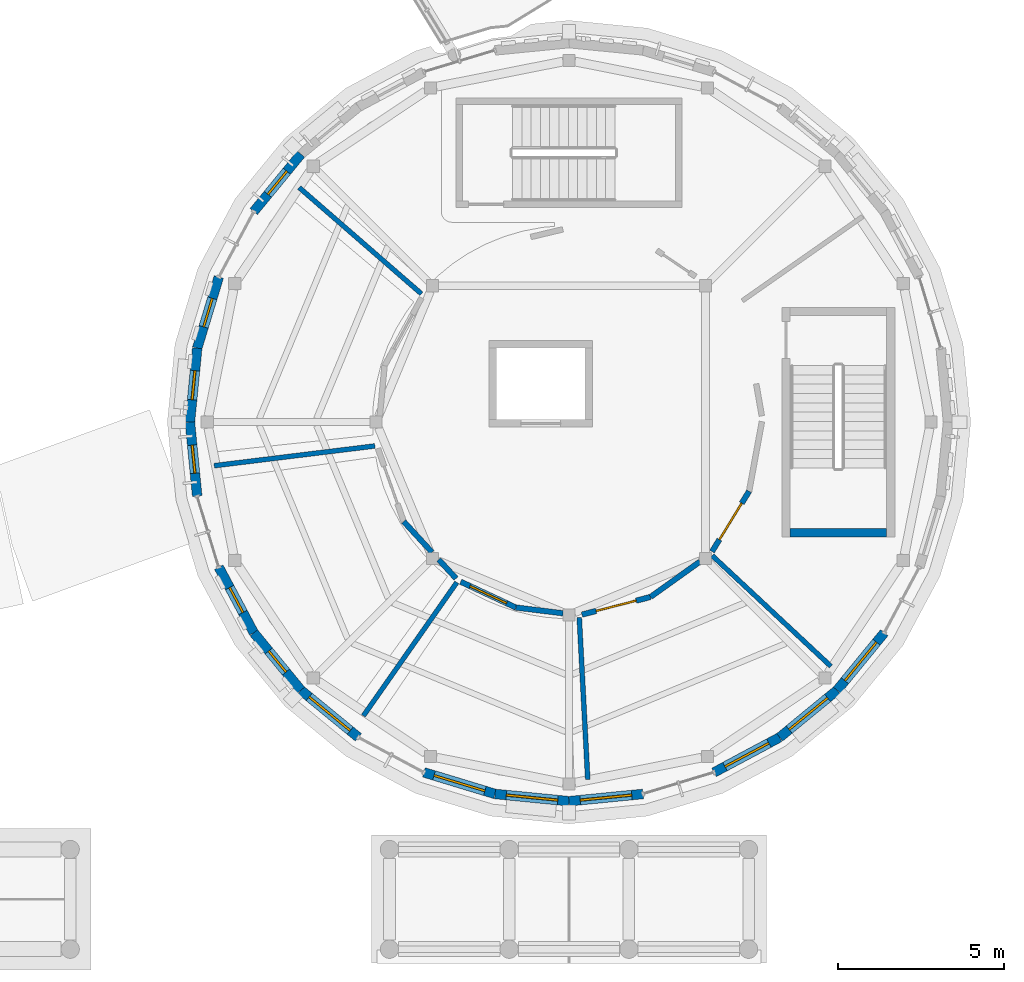
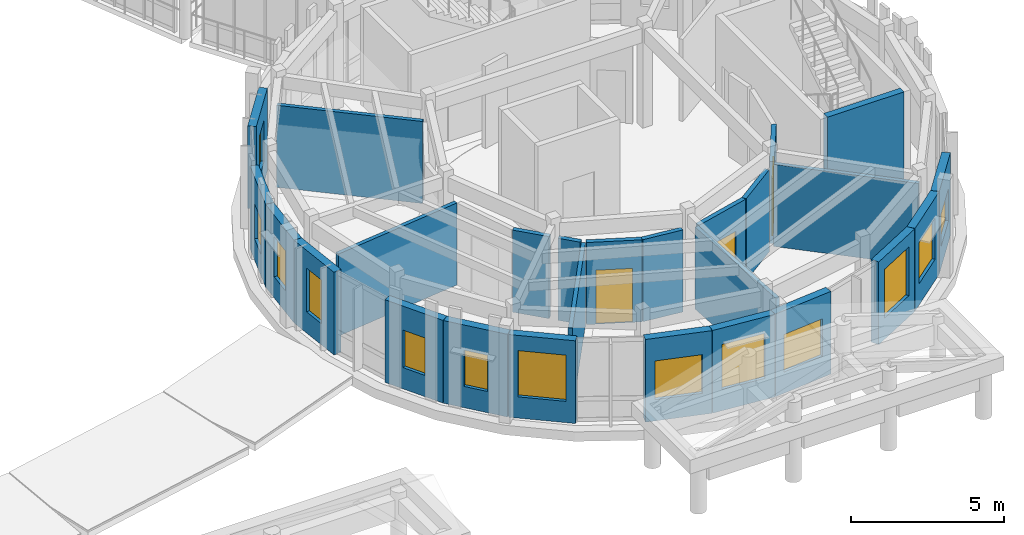
# One storey, part 53 of 80: 26 walls, 13 windows, 3 doors, 16 openings.
"""IFC4 building model written with IfcOpenShell, lengths in metres."""

from ifc_helpers import new_model, si_unit, direction, frame, frame_2d, origin, place, context, subcontext, project, spatial, rectangle, extrude, material, layer, layer_set, type_object, element, fill, save


model = new_model("IFC4")

# Units and contexts
model_context = context("Model", 3, precision=1e-05, world=origin(), true_north=direction((0.0, 1.0)))
body_context = subcontext(model_context, "Body", "Model", "MODEL_VIEW")
ifc_project = project(units=[si_unit("LENGTHUNIT", "METRE"), si_unit("AREAUNIT", "SQUARE_METRE"), si_unit("VOLUMEUNIT", "CUBIC_METRE"), si_unit("PLANEANGLEUNIT", "RADIAN"), si_unit("MASSUNIT", "GRAM", prefix="KILO")], contexts=[model_context])

# Site, building, storey
site_placement = place(None, origin())
site = spatial("IfcSite", under=ifc_project, at=site_placement, CompositionType="ELEMENT")
building_placement = place(site_placement, origin())
building = spatial("IfcBuilding", under=site, at=building_placement, Name="Aldenvaro Health Centre", CompositionType="ELEMENT")
storey_placement = place(building_placement, frame((0.0, 0.0, 4.550048828125)))
storey = spatial("IfcBuildingStorey", under=building, at=storey_placement, Name="L01", CompositionType="ELEMENT", Elevation=4.550048828125)

# Walls
ifc_material_1 = material(Name="Gypsum Stud Acoustic Assembly")
ifc_layer_1 = layer(ifc_material_1, 0.14501953125, Name="Gypsum Stud Acoustic Assembly")
ifc_layer_set_1 = layer_set([ifc_layer_1], Name="Gypsum Stud Acoustic Assembly")
wall_type_1 = type_object("IfcWallType", Name="WL-CLN-145", PredefinedType="PARTITIONING", material=ifc_layer_set_1)
wall_1_placement = place(storey_placement, frame((150.06005859375, 22.360107421875, 0.0), z_axis=(0.0, 0.0, 1.0), x_axis=(-0.754707000712, 0.656061996366, 0.0)))
element("IfcWall", 1, at=wall_1_placement, inside=storey, type_object=wall_type_1, Name="D6 L01 clinical partition 2.1", PredefinedType="PARTITIONING", context=body_context, shape_type="SweptSolid", body=[
    extrude(rectangle(XDim=4.8681640625, YDim=0.14501953125, at=frame_2d((2.43408203125, 0.0))), origin(), (0.0, 0.0, 1.0), 3.283935546875),
])
wall_2_placement = place(storey_placement, frame((148.660888671875, 17.782958984375, 0.0), z_axis=(0.0, 0.0, 1.0), x_axis=(-0.992549416304, -0.121842751918, 0.0)))
element("IfcWall", 2, at=wall_2_placement, inside=storey, type_object=wall_type_1, Name="D6 L01 clinical partition 3.1", PredefinedType="PARTITIONING", context=body_context, shape_type="SweptSolid", body=[
    extrude(rectangle(XDim=4.8671875, YDim=0.14501953125, at=frame_2d((2.43359375, 0.0))), origin(), (0.0, 0.0, 1.0), 3.283935546875),
])
wall_3_placement = place(storey_placement, frame((151.1259765625, 13.680908203125, 0.0), z_axis=(0.0, 0.0, 1.0), x_axis=(-0.573579487823, -0.819149907617, 0.0)))
element("IfcWall", 3, at=wall_3_placement, inside=storey, type_object=wall_type_1, Name="D6 L01 clinical partition 4.1", PredefinedType="PARTITIONING", context=body_context, shape_type="SweptSolid", body=[
    extrude(rectangle(XDim=4.895263671875, YDim=0.14501953125, at=frame_2d((2.44775390625, 0.0))), origin(), (0.0, 0.0, 1.0), 3.283935546875),
])
wall_4_placement = place(storey_placement, frame((154.80810546875, 12.625, 0.0), z_axis=(0.0, 0.0, 1.0), x_axis=(0.05228807127, -0.998632043148, 0.0)))
element("IfcWall", 4, at=wall_4_placement, inside=storey, type_object=wall_type_1, Name="D6 L01 clinical partition 5.1", PredefinedType="PARTITIONING", context=body_context, shape_type="SweptSolid", body=[
    extrude(rectangle(XDim=4.87451171875, YDim=0.14501953125, at=frame_2d((2.437255859375, 0.0))), origin(), (0.0, 0.0, 1.0), 3.283935546875),
])
wall_5_placement = place(storey_placement, frame((158.802978515625, 14.488037109375, 0.0), z_axis=(0.0, 0.0, 1.0), x_axis=(0.731337706655, -0.682015512158, 0.0)))
element("IfcWall", 5, at=wall_5_placement, inside=storey, type_object=wall_type_1, Name="D6 L01 clinical partition 6.1", PredefinedType="PARTITIONING", context=body_context, shape_type="SweptSolid", body=[
    extrude(rectangle(XDim=4.885498046875, YDim=0.14501953125, at=frame_2d((2.44287109375, 0.0))), origin(), (0.0, 0.0, 1.0), 3.283935546875),
])
ifc_layer_2 = layer(ifc_material_1, 0.1650390625, Name="Gypsum Stud Acoustic Assembly")
ifc_layer_set_2 = layer_set([ifc_layer_2], Name="Gypsum Stud Acoustic Assembly")
wall_type_2 = type_object("IfcWallType", Name="WL-COR-165", PredefinedType="PARTITIONING", material=ifc_layer_set_2)
wall_6_placement = place(storey_placement, frame((149.528076171875, 15.512939453125, 0.0), z_axis=(0.0, 0.0, 1.0), x_axis=(0.676611080709, -0.736340577085, 0.0)))
element("IfcWall", 6, at=wall_6_placement, inside=storey, type_object=wall_type_2, Name="D6 L01 corridor wall 03.2", PredefinedType="PARTITIONING", context=body_context, shape_type="SweptSolid", body=[
    extrude(rectangle(XDim=1.259033203125, YDim=0.1650390625, at=frame_2d((0.62939453125, 0.0))), origin(), (0.0, 0.0, 1.0), 3.283935546875),
])
wall_7_placement = place(storey_placement, frame((150.5830078125, 14.364990234375, 0.0), z_axis=(0.0, 0.0, 1.0), x_axis=(0.676615979647, -0.736336075503, 0.0)))
element("IfcWall", 7, at=wall_7_placement, inside=storey, type_object=wall_type_2, Name="D6 L01 corridor wall 03.3", PredefinedType="PARTITIONING", context=body_context, shape_type="SweptSolid", body=[
    extrude(rectangle(XDim=0.7685546875, YDim=0.1650390625, at=frame_2d((0.38427734375, 0.0))), origin(), (0.0, 0.0, 1.0), 3.283935546875),
])

# Wall, opening, door
wall_8_placement = place(storey_placement, frame((151.243896484375, 13.699951171875, 0.0), z_axis=(0.0, 0.0, 1.0), x_axis=(0.905838456469, -0.423623288763, 0.0)))
wall_8 = element("IfcWall", 8, at=wall_8_placement, inside=storey, type_object=wall_type_2, Name="D6 L01 corridor wall 04.1", PredefinedType="PARTITIONING", context=body_context, shape_type="SweptSolid", body=[
    extrude(rectangle(XDim=1.829345703125, YDim=0.1650390625, at=frame_2d((0.91455078125, 0.0))), origin(), (0.0, 0.0, 1.0), 3.283935546875),
])
opening_1_placement = place(wall_8_placement, frame((0.31005859375, 0.0, 0.0)))
opening_1 = element("IfcOpeningElement", 9, at=opening_1_placement, cuts=wall_8, Name="Opening D-27", PredefinedType="OPENING", context=body_context, shape_type="SweptSolid", body=[
    extrude(rectangle(XDim=1.2099609375, YDim=2.159912109375, at=frame_2d((0.60498046875, 1.080078125))), frame((0.0, 0.092529296875, 0.0), z_axis=(0.0, -1.0, 0.0), x_axis=(1.0, 0.0, 0.0)), (0.0, 0.0, 1.0), 0.18505859375),
])
ifc_material_2 = material(Name="Exam Suite Timber Door", Category="wood")
door_type_1 = type_object("IfcDoorType", Name="DR-CLN-27", OperationType="NOTDEFINED", PredefinedType="DOOR", material=ifc_material_2)
door_1_placement = place(opening_1_placement, origin())
door_1 = element("IfcDoor", 10, at=door_1_placement, inside=storey, type_object=door_type_1, Name="Panoramic Dental X-Ray Alcove Door", OperationType="SINGLE_SWING_RIGHT", OverallHeight=2.159912109375, OverallWidth=1.2099609375, PredefinedType="DOOR", context=body_context, shape_type="SweptSolid", body=[
    extrude(rectangle(XDim=1.2099609375, YDim=2.159912109375, at=frame_2d((0.60498046875, 1.080078125))), frame((0.0, 0.02490234375, 0.0), z_axis=(0.0, -1.0, 0.0), x_axis=(1.0, 0.0, 0.0)), (0.0, 0.0, 1.0), 0.050048828125),
])
fill(opening_1, door_1)

# Wall
wall_9_placement = place(storey_placement, frame((152.90087890625, 12.925048828125, 0.0), z_axis=(0.0, 0.0, 1.0), x_axis=(0.992643875507, -0.12107079094, 0.0)))
element("IfcWall", 11, at=wall_9_placement, inside=storey, type_object=wall_type_2, Name="D6 L01 corridor wall 04.2", PredefinedType="PARTITIONING", context=body_context, shape_type="SweptSolid", body=[
    extrude(rectangle(XDim=1.4296875, YDim=0.1650390625, at=frame_2d((0.71484375, 0.0))), origin(), (0.0, 0.0, 1.0), 3.283935546875),
])

# Wall, opening, door
wall_10_placement = place(storey_placement, frame((154.888916015625, 12.712890625, 0.0), z_axis=(0.0, 0.0, 1.0), x_axis=(0.968515845244, 0.248951918071, 0.0)))
wall_10 = element("IfcWall", 12, at=wall_10_placement, inside=storey, type_object=wall_type_2, Name="D6 L01 corridor wall 05.1", PredefinedType="PARTITIONING", context=body_context, shape_type="SweptSolid", body=[
    extrude(rectangle(XDim=2.129150390625, YDim=0.1650390625, at=frame_2d((1.064453125, 0.0))), origin(), (0.0, 0.0, 1.0), 3.283935546875),
])
opening_2_placement = place(wall_10_placement, frame((0.444091796875, 0.0, 0.0)))
opening_2 = element("IfcOpeningElement", 13, at=opening_2_placement, cuts=wall_10, Name="Opening D-28", PredefinedType="OPENING", context=body_context, shape_type="SweptSolid", body=[
    extrude(rectangle(XDim=1.239990234375, YDim=2.219970703125, at=frame_2d((0.6201171875, 1.10986328125))), frame((0.0, 0.092529296875, 0.0), z_axis=(0.0, -1.0, 0.0), x_axis=(1.0, 0.0, 0.0)), (0.0, 0.0, 1.0), 0.18505859375),
])
door_type_2 = type_object("IfcDoorType", Name="DR-CLN-28", OperationType="NOTDEFINED", PredefinedType="DOOR", material=ifc_material_2)
door_2_placement = place(opening_2_placement, origin())
door_2 = element("IfcDoor", 14, at=door_2_placement, inside=storey, type_object=door_type_2, Name="Dental Instrument Sterilization Door", OperationType="SINGLE_SWING_LEFT", OverallHeight=2.219970703125, OverallWidth=1.239990234375, PredefinedType="DOOR", context=body_context, shape_type="SweptSolid", body=[
    extrude(rectangle(XDim=1.239990234375, YDim=2.219970703125, at=frame_2d((0.6201171875, 1.10986328125))), frame((0.0, 0.02490234375, 0.0), z_axis=(0.0, -1.0, 0.0), x_axis=(1.0, 0.0, 0.0)), (0.0, 0.0, 1.0), 0.050048828125),
])
fill(opening_2, door_2)

# Wall
wall_11_placement = place(storey_placement, frame((156.950927734375, 13.242919921875, 0.0), z_axis=(0.0, 0.0, 1.0), x_axis=(0.813273111974, 0.581882157606, 0.0)))
element("IfcWall", 15, at=wall_11_placement, inside=storey, type_object=wall_type_2, Name="D6 L01 corridor wall 05.2", PredefinedType="PARTITIONING", context=body_context, shape_type="SweptSolid", body=[
    extrude(rectangle(XDim=1.828369140625, YDim=0.1650390625, at=frame_2d((0.9140625, 0.0))), origin(), (0.0, 0.0, 1.0), 3.283935546875),
])

# Wall, opening, door
wall_12_placement = place(storey_placement, frame((158.800048828125, 14.60791015625, 0.0), z_axis=(0.0, 0.0, 1.0), x_axis=(0.523860609665, 0.851804004241, 0.0)))
wall_12 = element("IfcWall", 16, at=wall_12_placement, inside=storey, type_object=wall_type_2, Name="D6 L01 corridor wall 06.1", PredefinedType="PARTITIONING", context=body_context, shape_type="SweptSolid", body=[
    extrude(rectangle(XDim=2.12841796875, YDim=0.1650390625, at=frame_2d((1.064208984375, 0.0))), origin(), (0.0, 0.0, 1.0), 3.283935546875),
])
opening_3_placement = place(wall_12_placement, frame((0.424072265625, 0.0, 0.0)))
opening_3 = element("IfcOpeningElement", 17, at=opening_3_placement, cuts=wall_12, Name="Opening D-29", PredefinedType="OPENING", context=body_context, shape_type="SweptSolid", body=[
    extrude(rectangle(XDim=1.280029296875, YDim=2.300048828125, at=frame_2d((0.64013671875, 1.14990234375))), frame((0.0, 0.092529296875, 0.0), z_axis=(0.0, -1.0, 0.0), x_axis=(1.0, 0.0, 0.0)), (0.0, 0.0, 1.0), 0.18505859375),
])
door_type_3 = type_object("IfcDoorType", Name="DR-CLN-29", OperationType="NOTDEFINED", PredefinedType="DOOR", material=ifc_material_2)
door_3_placement = place(opening_3_placement, origin())
door_3 = element("IfcDoor", 18, at=door_3_placement, inside=storey, type_object=door_type_3, Name="Oral Health Waiting Lounge Door", OperationType="SINGLE_SWING_RIGHT", OverallHeight=2.300048828125, OverallWidth=1.280029296875, PredefinedType="DOOR", context=body_context, shape_type="SweptSolid", body=[
    extrude(rectangle(XDim=1.280029296875, YDim=2.300048828125, at=frame_2d((0.64013671875, 1.14990234375))), frame((0.0, 0.02490234375, 0.0), z_axis=(0.0, -1.0, 0.0), x_axis=(1.0, 0.0, 0.0)), (0.0, 0.0, 1.0), 0.050048828125),
])
fill(opening_3, door_3)

# Wall, opening, window
ifc_material_3 = material(Name="Cross-laminated timber CLT E1", Category="wood")
ifc_layer_3 = layer(ifc_material_3, 0.2900390625, Name="Cross-laminated timber CLT E1", Category="wood")
ifc_layer_set_3 = layer_set([ifc_layer_3], Name="Cross-laminated timber CLT E1")
wall_type_3 = type_object("IfcWallType", Name="WL-EXT-290", PredefinedType="ELEMENTEDWALL", material=ifc_layer_set_3)
wall_13_placement = place(storey_placement, frame((163.97900390625, 12.166015625, 0.0), z_axis=(0.0, 0.0, 1.0), x_axis=(-0.63455767339, -0.772875513354, 0.0)))
wall_13 = element("IfcWall", 19, at=wall_13_placement, inside=storey, type_object=wall_type_3, Name="D6 L01 exterior wall 04", PredefinedType="ELEMENTEDWALL", context=body_context, shape_type="SweptSolid", body=[
    extrude(rectangle(XDim=2.234619140625, YDim=0.2900390625, at=frame_2d((1.1171875, 0.0))), origin(), (0.0, 0.0, 1.0), 3.308837890625),
])
opening_4_placement = place(wall_13_placement, frame((0.366943359375, 0.0, 0.85009765625)))
opening_4 = element("IfcOpeningElement", 20, at=opening_4_placement, cuts=wall_13, Name="Opening W-62", PredefinedType="OPENING", context=body_context, shape_type="SweptSolid", body=[
    extrude(rectangle(XDim=1.5, YDim=1.300048828125, at=frame_2d((0.75, 0.64990234375))), frame((0.0, 0.155029296875, 0.0), z_axis=(0.0, -1.0, 0.0), x_axis=(1.0, 0.0, 0.0)), (0.0, 0.0, 1.0), 0.31005859375),
])
ifc_material_4 = material(Name="Thermally Broken Aluminium Low-E Glass", Category="aluminium")
window_type_1 = type_object("IfcWindowType", Name="WN-EXT-62", PartitioningType="SINGLE_PANEL", PredefinedType="WINDOW", material=ifc_material_4)
window_1_placement = place(opening_4_placement, origin())
window_1 = element("IfcWindow", 21, at=window_1_placement, inside=storey, type_object=window_type_1, Name="D6 L01 clinical window 04", OverallHeight=1.300048828125, OverallWidth=1.5, PartitioningType="SINGLE_PANEL", PredefinedType="WINDOW", context=body_context, shape_type="SweptSolid", body=[
    extrude(rectangle(XDim=1.5, YDim=1.300048828125, at=frame_2d((0.75, 0.64990234375))), frame((0.0, 0.030029296875, 0.0), z_axis=(0.0, -1.0, 0.0), x_axis=(1.0, 0.0, 0.0)), (0.0, 0.0, 1.0), 0.06005859375),
])
fill(opening_4, window_1)

wall_14_placement = place(storey_placement, frame((162.56103515625, 10.43896484375, 0.0), z_axis=(0.0, 0.0, 1.0), x_axis=(-0.772875513354, -0.63455767339, 0.0)))
wall_14 = element("IfcWall", 22, at=wall_14_placement, inside=storey, type_object=wall_type_3, Name="D6 L01 exterior wall 05", PredefinedType="ELEMENTEDWALL", context=body_context, shape_type="SweptSolid", body=[
    extrude(rectangle(XDim=2.234619140625, YDim=0.2900390625, at=frame_2d((1.1171875, 0.0))), origin(), (0.0, 0.0, 1.0), 3.308837890625),
])
opening_5_placement = place(wall_14_placement, frame((0.366943359375, 0.0, 0.85009765625)))
opening_5 = element("IfcOpeningElement", 23, at=opening_5_placement, cuts=wall_14, Name="Opening W-63", PredefinedType="OPENING", context=body_context, shape_type="SweptSolid", body=[
    extrude(rectangle(XDim=1.5, YDim=1.64990234375, at=frame_2d((0.75, 0.824951171875))), frame((0.0, 0.155029296875, 0.0), z_axis=(0.0, -1.0, 0.0), x_axis=(1.0, 0.0, 0.0)), (0.0, 0.0, 1.0), 0.31005859375),
])
window_type_2 = type_object("IfcWindowType", Name="WN-EXT-63", PartitioningType="SINGLE_PANEL", PredefinedType="WINDOW", material=ifc_material_4)
window_2_placement = place(opening_5_placement, origin())
window_2 = element("IfcWindow", 24, at=window_2_placement, inside=storey, type_object=window_type_2, Name="D6 L01 clinical window 05", OverallHeight=1.64990234375, OverallWidth=1.5, PartitioningType="SINGLE_PANEL", PredefinedType="WINDOW", context=body_context, shape_type="SweptSolid", body=[
    extrude(rectangle(XDim=1.5, YDim=1.64990234375, at=frame_2d((0.75, 0.824951171875))), frame((0.0, 0.030029296875, 0.0), z_axis=(0.0, -1.0, 0.0), x_axis=(1.0, 0.0, 0.0)), (0.0, 0.0, 1.0), 0.06005859375),
])
fill(opening_5, window_2)

wall_15_placement = place(storey_placement, frame((160.833984375, 9.02099609375, 0.0), z_axis=(0.0, 0.0, 1.0), x_axis=(-0.882017012185, -0.471217561446, 0.0)))
wall_15 = element("IfcWall", 25, at=wall_15_placement, inside=storey, type_object=wall_type_3, Name="D6 L01 exterior wall 06", PredefinedType="ELEMENTEDWALL", context=body_context, shape_type="SweptSolid", body=[
    extrude(rectangle(XDim=2.234619140625, YDim=0.2900390625, at=frame_2d((1.1171875, 0.0))), origin(), (0.0, 0.0, 1.0), 3.308837890625),
])
opening_6_placement = place(wall_15_placement, frame((0.366943359375, 0.0, 0.85009765625)))
opening_6 = element("IfcOpeningElement", 26, at=opening_6_placement, cuts=wall_15, Name="Opening W-64", PredefinedType="OPENING", context=body_context, shape_type="SweptSolid", body=[
    extrude(rectangle(XDim=1.5, YDim=1.949951171875, at=frame_2d((0.75, 0.97509765625))), frame((0.0, 0.155029296875, 0.0), z_axis=(0.0, -1.0, 0.0), x_axis=(1.0, 0.0, 0.0)), (0.0, 0.0, 1.0), 0.31005859375),
])
window_type_3 = type_object("IfcWindowType", Name="WN-EXT-64", PartitioningType="SINGLE_PANEL", PredefinedType="WINDOW", material=ifc_material_4)
window_3_placement = place(opening_6_placement, origin())
window_3 = element("IfcWindow", 27, at=window_3_placement, inside=storey, type_object=window_type_3, Name="D6 L01 clinical window 06", OverallHeight=1.949951171875, OverallWidth=1.5, PartitioningType="SINGLE_PANEL", PredefinedType="WINDOW", context=body_context, shape_type="SweptSolid", body=[
    extrude(rectangle(XDim=1.5, YDim=1.949951171875, at=frame_2d((0.75, 0.97509765625))), frame((0.0, 0.030029296875, 0.0), z_axis=(0.0, -1.0, 0.0), x_axis=(1.0, 0.0, 0.0)), (0.0, 0.0, 1.0), 0.06005859375),
])
fill(opening_6, window_3)

wall_16_placement = place(storey_placement, frame((156.72412109375, 7.319091796875, 0.0), z_axis=(0.0, 0.0, 1.0), x_axis=(-0.995187461503, -0.097989369151, 0.0)))
wall_16 = element("IfcWall", 28, at=wall_16_placement, inside=storey, type_object=wall_type_3, Name="D6 L01 exterior wall 08", PredefinedType="ELEMENTEDWALL", context=body_context, shape_type="SweptSolid", body=[
    extrude(rectangle(XDim=2.23486328125, YDim=0.2900390625, at=frame_2d((1.117431640625, 0.0))), origin(), (0.0, 0.0, 1.0), 3.308837890625),
])
opening_7_placement = place(wall_16_placement, frame((0.342041015625, 0.0, 0.85009765625)))
opening_7 = element("IfcOpeningElement", 29, at=opening_7_placement, cuts=wall_16, Name="Opening W-65", PredefinedType="OPENING", context=body_context, shape_type="SweptSolid", body=[
    extrude(rectangle(XDim=1.550048828125, YDim=1.5, at=frame_2d((0.77490234375, 0.75))), frame((0.0, 0.155029296875, 0.0), z_axis=(0.0, -1.0, 0.0), x_axis=(1.0, 0.0, 0.0)), (0.0, 0.0, 1.0), 0.31005859375),
])
window_type_4 = type_object("IfcWindowType", Name="WN-EXT-65", PartitioningType="SINGLE_PANEL", PredefinedType="WINDOW", material=ifc_material_4)
window_4_placement = place(opening_7_placement, origin())
window_4 = element("IfcWindow", 30, at=window_4_placement, inside=storey, type_object=window_type_4, Name="D6 L01 clinical window 08", OverallHeight=1.5, OverallWidth=1.550048828125, PartitioningType="SINGLE_PANEL", PredefinedType="WINDOW", context=body_context, shape_type="SweptSolid", body=[
    extrude(rectangle(XDim=1.550048828125, YDim=1.5, at=frame_2d((0.77490234375, 0.75))), frame((0.0, 0.030029296875, 0.0), z_axis=(0.0, -1.0, 0.0), x_axis=(1.0, 0.0, 0.0)), (0.0, 0.0, 1.0), 0.06005859375),
])
fill(opening_7, window_4)

wall_17_placement = place(storey_placement, frame((154.5, 7.10009765625, 0.0), z_axis=(0.0, 0.0, 1.0), x_axis=(-0.995187461503, 0.097989369151, 0.0)))
wall_17 = element("IfcWall", 31, at=wall_17_placement, inside=storey, type_object=wall_type_3, Name="D6 L01 exterior wall 09", PredefinedType="ELEMENTEDWALL", context=body_context, shape_type="SweptSolid", body=[
    extrude(rectangle(XDim=2.23486328125, YDim=0.2900390625, at=frame_2d((1.117431640625, 0.0))), origin(), (0.0, 0.0, 1.0), 3.308837890625),
])
opening_8_placement = place(wall_17_placement, frame((0.342041015625, 0.0, 0.85009765625)))
opening_8 = element("IfcOpeningElement", 32, at=opening_8_placement, cuts=wall_17, Name="Opening W-66", PredefinedType="OPENING", context=body_context, shape_type="SweptSolid", body=[
    extrude(rectangle(XDim=1.550048828125, YDim=1.800048828125, at=frame_2d((0.77490234375, 0.89990234375))), frame((0.0, 0.155029296875, 0.0), z_axis=(0.0, -1.0, 0.0), x_axis=(1.0, 0.0, 0.0)), (0.0, 0.0, 1.0), 0.31005859375),
])
window_type_5 = type_object("IfcWindowType", Name="WN-EXT-66", PartitioningType="SINGLE_PANEL", PredefinedType="WINDOW", material=ifc_material_4)
window_5_placement = place(opening_8_placement, origin())
window_5 = element("IfcWindow", 33, at=window_5_placement, inside=storey, type_object=window_type_5, Name="D6 L01 clinical window 09", OverallHeight=1.800048828125, OverallWidth=1.550048828125, PartitioningType="SINGLE_PANEL", PredefinedType="WINDOW", context=body_context, shape_type="SweptSolid", body=[
    extrude(rectangle(XDim=1.550048828125, YDim=1.800048828125, at=frame_2d((0.77490234375, 0.89990234375))), frame((0.0, 0.030029296875, 0.0), z_axis=(0.0, -1.0, 0.0), x_axis=(1.0, 0.0, 0.0)), (0.0, 0.0, 1.0), 0.06005859375),
])
fill(opening_8, window_5)

wall_18_placement = place(storey_placement, frame((152.27587890625, 7.319091796875, 0.0), z_axis=(0.0, 0.0, 1.0), x_axis=(-0.956928814218, 0.290322655883, 0.0)))
wall_18 = element("IfcWall", 34, at=wall_18_placement, inside=storey, type_object=wall_type_3, Name="D6 L01 exterior wall 10", PredefinedType="ELEMENTEDWALL", context=body_context, shape_type="SweptSolid", body=[
    extrude(rectangle(XDim=2.235107421875, YDim=0.2900390625, at=frame_2d((1.11767578125, 0.0))), origin(), (0.0, 0.0, 1.0), 3.308837890625),
])
opening_9_placement = place(wall_18_placement, frame((0.318115234375, 0.0, 0.85009765625)))
opening_9 = element("IfcOpeningElement", 35, at=opening_9_placement, cuts=wall_18, Name="Opening W-67", PredefinedType="OPENING", context=body_context, shape_type="SweptSolid", body=[
    extrude(rectangle(XDim=1.60009765625, YDim=1.550048828125, at=frame_2d((0.800048828125, 0.77490234375))), frame((0.0, 0.155029296875, 0.0), z_axis=(0.0, -1.0, 0.0), x_axis=(1.0, 0.0, 0.0)), (0.0, 0.0, 1.0), 0.31005859375),
])
window_type_6 = type_object("IfcWindowType", Name="WN-EXT-67", PartitioningType="SINGLE_PANEL", PredefinedType="WINDOW", material=ifc_material_4)
window_6_placement = place(opening_9_placement, origin())
window_6 = element("IfcWindow", 36, at=window_6_placement, inside=storey, type_object=window_type_6, Name="D6 L01 clinical window 10", OverallHeight=1.550048828125, OverallWidth=1.60009765625, PartitioningType="SINGLE_PANEL", PredefinedType="WINDOW", context=body_context, shape_type="SweptSolid", body=[
    extrude(rectangle(XDim=1.60009765625, YDim=1.550048828125, at=frame_2d((0.800048828125, 0.77490234375))), frame((0.0, 0.030029296875, 0.0), z_axis=(0.0, -1.0, 0.0), x_axis=(1.0, 0.0, 0.0)), (0.0, 0.0, 1.0), 0.06005859375),
])
fill(opening_9, window_6)

wall_19_placement = place(storey_placement, frame((148.166015625, 9.02099609375, 0.0), z_axis=(0.0, 0.0, 1.0), x_axis=(-0.772875513354, 0.63455767339, 0.0)))
wall_19 = element("IfcWall", 37, at=wall_19_placement, inside=storey, type_object=wall_type_3, Name="D6 L01 exterior wall 12", PredefinedType="ELEMENTEDWALL", context=body_context, shape_type="SweptSolid", body=[
    extrude(rectangle(XDim=2.234619140625, YDim=0.2900390625, at=frame_2d((1.1171875, 0.0))), origin(), (0.0, 0.0, 1.0), 3.308837890625),
])
opening_10_placement = place(wall_19_placement, frame((0.31689453125, 0.0, 0.85009765625)))
opening_10 = element("IfcOpeningElement", 38, at=opening_10_placement, cuts=wall_19, Name="Opening W-68", PredefinedType="OPENING", context=body_context, shape_type="SweptSolid", body=[
    extrude(rectangle(XDim=1.60009765625, YDim=1.85009765625, at=frame_2d((0.800048828125, 0.925048828125))), frame((0.0, 0.155029296875, 0.0), z_axis=(0.0, -1.0, 0.0), x_axis=(1.0, 0.0, 0.0)), (0.0, 0.0, 1.0), 0.31005859375),
])
window_type_7 = type_object("IfcWindowType", Name="WN-EXT-68", PartitioningType="SINGLE_PANEL", PredefinedType="WINDOW", material=ifc_material_4)
window_7_placement = place(opening_10_placement, origin())
window_7 = element("IfcWindow", 39, at=window_7_placement, inside=storey, type_object=window_type_7, Name="D6 L01 clinical window 12", OverallHeight=1.85009765625, OverallWidth=1.60009765625, PartitioningType="SINGLE_PANEL", PredefinedType="WINDOW", context=body_context, shape_type="SweptSolid", body=[
    extrude(rectangle(XDim=1.60009765625, YDim=1.85009765625, at=frame_2d((0.800048828125, 0.925048828125))), frame((0.0, 0.030029296875, 0.0), z_axis=(0.0, -1.0, 0.0), x_axis=(1.0, 0.0, 0.0)), (0.0, 0.0, 1.0), 0.06005859375),
])
fill(opening_10, window_7)

wall_20_placement = place(storey_placement, frame((146.43896484375, 10.43896484375, 0.0), z_axis=(0.0, 0.0, 1.0), x_axis=(-0.63455767339, 0.772875513354, 0.0)))
wall_20 = element("IfcWall", 40, at=wall_20_placement, inside=storey, type_object=wall_type_3, Name="D6 L01 exterior wall 13", PredefinedType="ELEMENTEDWALL", context=body_context, shape_type="SweptSolid", body=[
    extrude(rectangle(XDim=2.234619140625, YDim=0.2900390625, at=frame_2d((1.1171875, 0.0))), origin(), (0.0, 0.0, 1.0), 3.308837890625),
])
opening_11_placement = place(wall_20_placement, frame((0.70703125, 0.0, 0.85009765625)))
opening_11 = element("IfcOpeningElement", 41, at=opening_11_placement, cuts=wall_20, Name="Opening W-01", PredefinedType="OPENING", context=body_context, shape_type="SweptSolid", body=[
    extrude(rectangle(XDim=0.820068359375, YDim=1.449951171875, at=frame_2d((0.41015625, 0.72509765625))), frame((0.0, 0.155029296875, 0.0), z_axis=(0.0, -1.0, 0.0), x_axis=(1.0, 0.0, 0.0)), (0.0, 0.0, 1.0), 0.31005859375),
])
window_type_8 = type_object("IfcWindowType", Name="WN-EXT-01", PartitioningType="SINGLE_PANEL", PredefinedType="WINDOW", material=ifc_material_4)
window_8_placement = place(opening_11_placement, origin())
window_8 = element("IfcWindow", 42, at=window_8_placement, inside=storey, type_object=window_type_8, Name="D6 L01 clinical window 13", OverallHeight=1.449951171875, OverallWidth=0.820068359375, PartitioningType="SINGLE_PANEL", PredefinedType="WINDOW", context=body_context, shape_type="SweptSolid", body=[
    extrude(rectangle(XDim=0.820068359375, YDim=1.449951171875, at=frame_2d((0.41015625, 0.72509765625))), frame((0.0, 0.030029296875, 0.0), z_axis=(0.0, -1.0, 0.0), x_axis=(1.0, 0.0, 0.0)), (0.0, 0.0, 1.0), 0.06005859375),
])
fill(opening_11, window_8)

wall_21_placement = place(storey_placement, frame((145.02099609375, 12.166015625, 0.0), z_axis=(0.0, 0.0, 1.0), x_axis=(-0.471217561446, 0.882017012185, 0.0)))
wall_21 = element("IfcWall", 43, at=wall_21_placement, inside=storey, type_object=wall_type_3, Name="D6 L01 exterior wall 14", PredefinedType="ELEMENTEDWALL", context=body_context, shape_type="SweptSolid", body=[
    extrude(rectangle(XDim=2.234619140625, YDim=0.2900390625, at=frame_2d((1.1171875, 0.0))), origin(), (0.0, 0.0, 1.0), 3.308837890625),
])
opening_12_placement = place(wall_21_placement, frame((0.69189453125, 0.0, 0.85009765625)))
opening_12 = element("IfcOpeningElement", 44, at=opening_12_placement, cuts=wall_21, Name="Opening W-02", PredefinedType="OPENING", context=body_context, shape_type="SweptSolid", body=[
    extrude(rectangle(XDim=0.85009765625, YDim=1.5, at=frame_2d((0.425048828125, 0.75))), frame((0.0, 0.155029296875, 0.0), z_axis=(0.0, -1.0, 0.0), x_axis=(1.0, 0.0, 0.0)), (0.0, 0.0, 1.0), 0.31005859375),
])
window_type_9 = type_object("IfcWindowType", Name="WN-EXT-02", PartitioningType="SINGLE_PANEL", PredefinedType="WINDOW", material=ifc_material_4)
window_9_placement = place(opening_12_placement, origin())
window_9 = element("IfcWindow", 45, at=window_9_placement, inside=storey, type_object=window_type_9, Name="D6 L01 clinical window 14", OverallHeight=1.5, OverallWidth=0.85009765625, PartitioningType="SINGLE_PANEL", PredefinedType="WINDOW", context=body_context, shape_type="SweptSolid", body=[
    extrude(rectangle(XDim=0.85009765625, YDim=1.5, at=frame_2d((0.425048828125, 0.75))), frame((0.0, 0.030029296875, 0.0), z_axis=(0.0, -1.0, 0.0), x_axis=(1.0, 0.0, 0.0)), (0.0, 0.0, 1.0), 0.06005859375),
])
fill(opening_12, window_9)

wall_22_placement = place(storey_placement, frame((143.319091796875, 16.27587890625, 0.0), z_axis=(0.0, 0.0, 1.0), x_axis=(-0.097989369151, 0.995187461503, 0.0)))
wall_22 = element("IfcWall", 46, at=wall_22_placement, inside=storey, type_object=wall_type_3, Name="D6 L01 exterior wall 16", PredefinedType="ELEMENTEDWALL", context=body_context, shape_type="SweptSolid", body=[
    extrude(rectangle(XDim=2.23486328125, YDim=0.2900390625, at=frame_2d((1.117431640625, 0.0))), origin(), (0.0, 0.0, 1.0), 3.308837890625),
])
opening_13_placement = place(wall_22_placement, frame((0.69189453125, 0.0, 0.85009765625)))
opening_13 = element("IfcOpeningElement", 47, at=opening_13_placement, cuts=wall_22, Name="Opening W-03", PredefinedType="OPENING", context=body_context, shape_type="SweptSolid", body=[
    extrude(rectangle(XDim=0.85009765625, YDim=1.75, at=frame_2d((0.425048828125, 0.875))), frame((0.0, 0.155029296875, 0.0), z_axis=(0.0, -1.0, 0.0), x_axis=(1.0, 0.0, 0.0)), (0.0, 0.0, 1.0), 0.31005859375),
])
window_type_10 = type_object("IfcWindowType", Name="WN-EXT-03", PartitioningType="SINGLE_PANEL", PredefinedType="WINDOW", material=ifc_material_4)
window_10_placement = place(opening_13_placement, origin())
window_10 = element("IfcWindow", 48, at=window_10_placement, inside=storey, type_object=window_type_10, Name="D6 L01 clinical window 16", OverallHeight=1.75, OverallWidth=0.85009765625, PartitioningType="SINGLE_PANEL", PredefinedType="WINDOW", context=body_context, shape_type="SweptSolid", body=[
    extrude(rectangle(XDim=0.85009765625, YDim=1.75, at=frame_2d((0.425048828125, 0.875))), frame((0.0, 0.030029296875, 0.0), z_axis=(0.0, -1.0, 0.0), x_axis=(1.0, 0.0, 0.0)), (0.0, 0.0, 1.0), 0.06005859375),
])
fill(opening_13, window_10)

wall_23_placement = place(storey_placement, frame((143.10009765625, 18.5, 0.0), z_axis=(0.0, 0.0, 1.0), x_axis=(0.097989369151, 0.995187461503, 0.0)))
wall_23 = element("IfcWall", 49, at=wall_23_placement, inside=storey, type_object=wall_type_3, Name="D6 L01 exterior wall 17", PredefinedType="ELEMENTEDWALL", context=body_context, shape_type="SweptSolid", body=[
    extrude(rectangle(XDim=2.23486328125, YDim=0.2900390625, at=frame_2d((1.117431640625, 0.0))), origin(), (0.0, 0.0, 1.0), 3.308837890625),
])
opening_14_placement = place(wall_23_placement, frame((0.677001953125, 0.0, 0.85009765625)))
opening_14 = element("IfcOpeningElement", 50, at=opening_14_placement, cuts=wall_23, Name="Opening W-04", PredefinedType="OPENING", context=body_context, shape_type="SweptSolid", body=[
    extrude(rectangle(XDim=0.8798828125, YDim=1.60009765625, at=frame_2d((0.43994140625, 0.800048828125))), frame((0.0, 0.155029296875, 0.0), z_axis=(0.0, -1.0, 0.0), x_axis=(1.0, 0.0, 0.0)), (0.0, 0.0, 1.0), 0.31005859375),
])
window_type_11 = type_object("IfcWindowType", Name="WN-EXT-04", PartitioningType="SINGLE_PANEL", PredefinedType="WINDOW", material=ifc_material_4)
window_11_placement = place(opening_14_placement, origin())
window_11 = element("IfcWindow", 51, at=window_11_placement, inside=storey, type_object=window_type_11, Name="D6 L01 clinical window 17", OverallHeight=1.60009765625, OverallWidth=0.8798828125, PartitioningType="SINGLE_PANEL", PredefinedType="WINDOW", context=body_context, shape_type="SweptSolid", body=[
    extrude(rectangle(XDim=0.8798828125, YDim=1.60009765625, at=frame_2d((0.43994140625, 0.800048828125))), frame((0.0, 0.030029296875, 0.0), z_axis=(0.0, -1.0, 0.0), x_axis=(1.0, 0.0, 0.0)), (0.0, 0.0, 1.0), 0.06005859375),
])
fill(opening_14, window_11)

wall_24_placement = place(storey_placement, frame((143.319091796875, 20.72412109375, 0.0), z_axis=(0.0, 0.0, 1.0), x_axis=(0.290322655883, 0.956928814218, 0.0)))
wall_24 = element("IfcWall", 52, at=wall_24_placement, inside=storey, type_object=wall_type_3, Name="D6 L01 exterior wall 18", PredefinedType="ELEMENTEDWALL", context=body_context, shape_type="SweptSolid", body=[
    extrude(rectangle(XDim=2.235107421875, YDim=0.2900390625, at=frame_2d((1.11767578125, 0.0))), origin(), (0.0, 0.0, 1.0), 3.308837890625),
])
opening_15_placement = place(wall_24_placement, frame((0.66796875, 0.0, 0.85009765625)))
opening_15 = element("IfcOpeningElement", 53, at=opening_15_placement, cuts=wall_24, Name="Opening W-05", PredefinedType="OPENING", context=body_context, shape_type="SweptSolid", body=[
    extrude(rectangle(XDim=0.89990234375, YDim=1.39990234375, at=frame_2d((0.449951171875, 0.699951171875))), frame((0.0, 0.155029296875, 0.0), z_axis=(0.0, -1.0, 0.0), x_axis=(1.0, 0.0, 0.0)), (0.0, 0.0, 1.0), 0.31005859375),
])
window_type_12 = type_object("IfcWindowType", Name="WN-EXT-05", PartitioningType="SINGLE_PANEL", PredefinedType="WINDOW", material=ifc_material_4)
window_12_placement = place(opening_15_placement, origin())
window_12 = element("IfcWindow", 54, at=window_12_placement, inside=storey, type_object=window_type_12, Name="D6 L01 clinical window 18", OverallHeight=1.39990234375, OverallWidth=0.89990234375, PartitioningType="SINGLE_PANEL", PredefinedType="WINDOW", context=body_context, shape_type="SweptSolid", body=[
    extrude(rectangle(XDim=0.89990234375, YDim=1.39990234375, at=frame_2d((0.449951171875, 0.699951171875))), frame((0.0, 0.030029296875, 0.0), z_axis=(0.0, -1.0, 0.0), x_axis=(1.0, 0.0, 0.0)), (0.0, 0.0, 1.0), 0.06005859375),
])
fill(opening_15, window_12)

wall_25_placement = place(storey_placement, frame((145.02099609375, 24.833984375, 0.0), z_axis=(0.0, 0.0, 1.0), x_axis=(0.63455767339, 0.772875513354, 0.0)))
wall_25 = element("IfcWall", 55, at=wall_25_placement, inside=storey, type_object=wall_type_3, Name="D6 L01 exterior wall 20", PredefinedType="ELEMENTEDWALL", context=body_context, shape_type="SweptSolid", body=[
    extrude(rectangle(XDim=2.234619140625, YDim=0.2900390625, at=frame_2d((1.1171875, 0.0))), origin(), (0.0, 0.0, 1.0), 3.308837890625),
])
opening_16_placement = place(wall_25_placement, frame((0.6669921875, 0.0, 0.85009765625)))
opening_16 = element("IfcOpeningElement", 56, at=opening_16_placement, cuts=wall_25, Name="Opening W-06", PredefinedType="OPENING", context=body_context, shape_type="SweptSolid", body=[
    extrude(rectangle(XDim=0.89990234375, YDim=1.64990234375, at=frame_2d((0.449951171875, 0.824951171875))), frame((0.0, 0.155029296875, 0.0), z_axis=(0.0, -1.0, 0.0), x_axis=(1.0, 0.0, 0.0)), (0.0, 0.0, 1.0), 0.31005859375),
])
window_type_13 = type_object("IfcWindowType", Name="WN-EXT-06", PartitioningType="SINGLE_PANEL", PredefinedType="WINDOW", material=ifc_material_4)
window_13_placement = place(opening_16_placement, origin())
window_13 = element("IfcWindow", 57, at=window_13_placement, inside=storey, type_object=window_type_13, Name="D6 L01 clinical window 20", OverallHeight=1.64990234375, OverallWidth=0.89990234375, PartitioningType="SINGLE_PANEL", PredefinedType="WINDOW", context=body_context, shape_type="SweptSolid", body=[
    extrude(rectangle(XDim=0.89990234375, YDim=1.64990234375, at=frame_2d((0.449951171875, 0.824951171875))), frame((0.0, 0.030029296875, 0.0), z_axis=(0.0, -1.0, 0.0), x_axis=(1.0, 0.0, 0.0)), (0.0, 0.0, 1.0), 0.06005859375),
])
fill(opening_16, window_13)

# Wall
ifc_material_5 = material(Name="Concrete f'c 40 MPa", Category="concrete")
ifc_layer_4 = layer(ifc_material_5, 0.25, Name="Concrete f'c 40 MPa", Category="concrete")
ifc_layer_set_4 = layer_set([ifc_layer_4], Name="Concrete f'c 40 MPa")
wall_type_4 = type_object("IfcWallType", Name="WL-SHAFT-250", PredefinedType="SHEAR", material=ifc_layer_set_4)
wall_26_placement = place(storey_placement, frame((161.14990234375, 15.175048828125, 0.0), z_axis=(0.0, 0.0, 1.0), x_axis=(1.0, 0.0, 0.0)))
element("IfcWall", 58, at=wall_26_placement, inside=storey, type_object=wall_type_4, Name="ST-11 L01 side core wall R", PredefinedType="SHEAR", context=body_context, shape_type="SweptSolid", body=[
    extrude(rectangle(XDim=2.900146484375, YDim=0.25, at=frame_2d((1.4501953125, 0.0))), origin(), (0.0, 0.0, 1.0), 3.954833984375),
])

save(model, "model.ifc")
